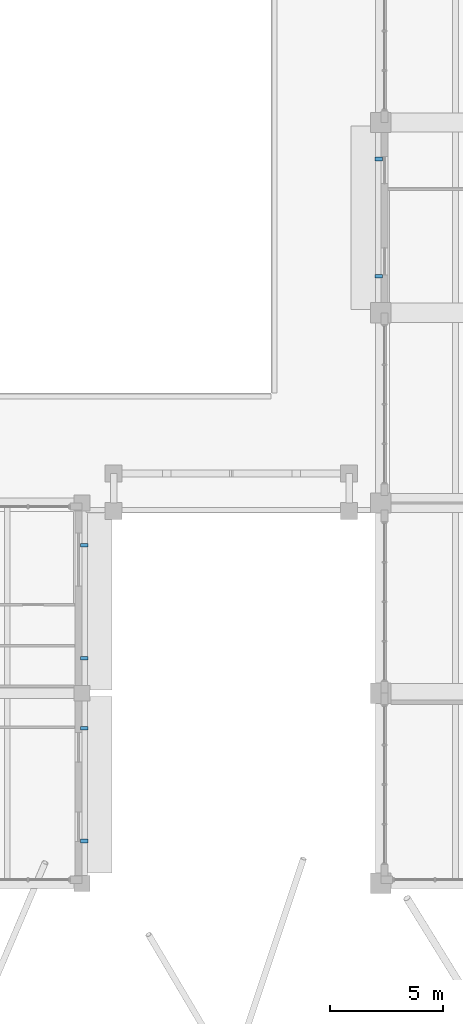
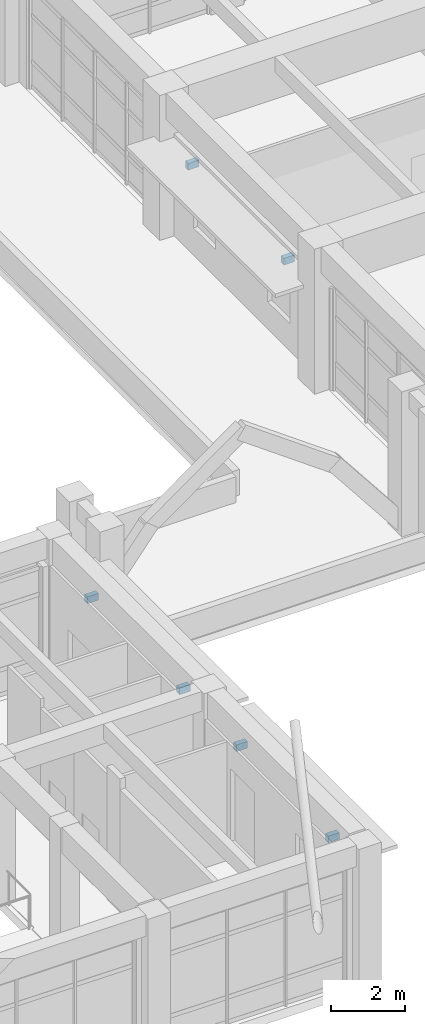
# One storey, part 61 of 75: 6 discrete accessories.
"""IFC4 building model written with IfcOpenShell, lengths in metres."""

from ifc_helpers import new_model, si_unit, direction, frame, origin, origin_2d, place, context, subcontext, project, spatial, rectangle, extrude, material, type_object, element, save


model = new_model("IFC4")

# Units and contexts
model_context = context("Model", 3, precision=1e-05, world=origin(), true_north=direction((0.0, 1.0)))
body_context = subcontext(model_context, "Body", "Model", "MODEL_VIEW")
ifc_project = project(units=[si_unit("LENGTHUNIT", "METRE"), si_unit("AREAUNIT", "SQUARE_METRE"), si_unit("VOLUMEUNIT", "CUBIC_METRE"), si_unit("PLANEANGLEUNIT", "RADIAN"), si_unit("MASSUNIT", "GRAM", prefix="KILO")], contexts=[model_context])

# Site, building, storey
site_placement = place(None, origin())
site = spatial("IfcSite", under=ifc_project, at=site_placement, CompositionType="ELEMENT")
building_placement = place(site_placement, origin())
building = spatial("IfcBuilding", under=site, at=building_placement, Name="Kolvaren Faculty of Natural Sciences", CompositionType="ELEMENT")
storey_placement = place(building_placement, frame((0.0, 0.0, 5.39990234375)))
storey = spatial("IfcBuildingStorey", under=building, at=storey_placement, Name="L01", CompositionType="ELEMENT", Elevation=5.39990234375)

# Discrete accessories
ifc_material = material(Name="Structural steel EN 10025-2 S355J2", Category="steel")
discrete_accessory_type = type_object("IfcDiscreteAccessoryType", Name="FacadeSupportBracket_260", PredefinedType="BRACKET", material=ifc_material)
for number, where, z_axis, x_axis, name in (
    (1, (118.89990234375, 94.2080078125, 3.01513671875), (0.0, 0.0, 1.0), (0.0, 1.0, 0.0), "L01 chhajja hood steel bracket"),
    (2, (118.89990234375, 99.39208984375, 3.01513671875), (0.0, 0.0, 1.0), (0.0, 1.0, 0.0), "L01 chhajja hood steel bracket"),
    (3, (105.89990234375, 82.32958984375, 3.56494140625), (0.0, 0.0, 1.0), (0.0, -1.0, 0.0), "L01 chhajja hood steel bracket"),
    (4, (105.89990234375, 77.350341796875, 3.56494140625), (0.0, 0.0, 1.0), (0.0, -1.0, 0.0), "L01 chhajja hood steel bracket"),
    (5, (105.89990234375, 74.24951171875, 3.56494140625), (0.0, 0.0, 1.0), (0.0, -1.0, 0.0), "L01 chhajja hood steel bracket"),
    (6, (105.89990234375, 69.2705078125, 3.56494140625), (0.0, 0.0, 1.0), (0.0, -1.0, 0.0), "L01 chhajja hood steel bracket"),
):
    element("IfcDiscreteAccessory", number, at=place(storey_placement, frame(where, z_axis=z_axis, x_axis=x_axis)), inside=storey, type_object=discrete_accessory_type, Name=name, PredefinedType="BRACKET", context=body_context, shape_type="SweptSolid", body=[
        extrude(rectangle(XDim=0.159912109375, YDim=0.340087890625, at=origin_2d()), origin(), (0.0, 0.0, 1.0), 0.219970703125),
    ])

save(model, "model.ifc")
